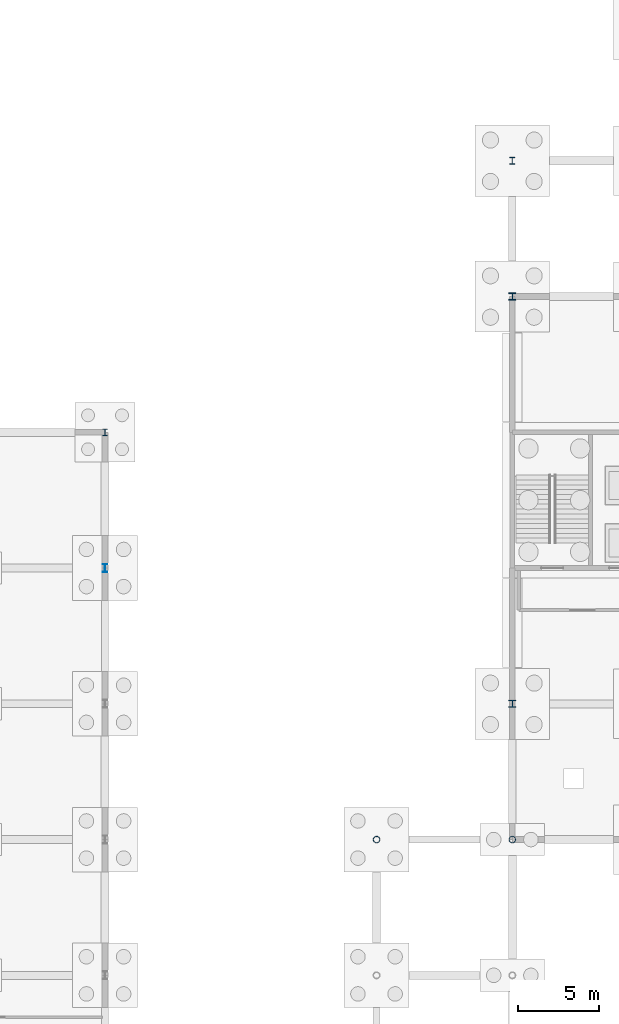
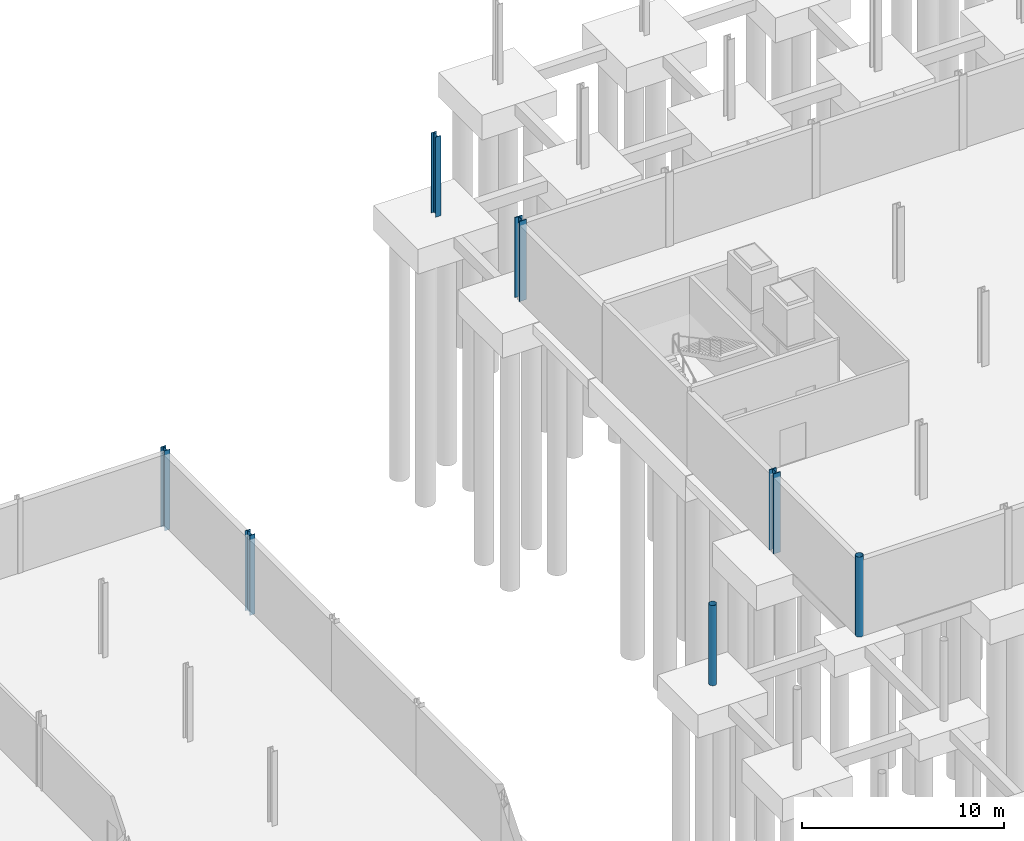
# One storey, part 21 of 51: 7 columns.
"""IFC4 building model written with IfcOpenShell, lengths in metres."""

from ifc_helpers import new_model, si_unit, direction, frame, origin, origin_2d, place, context, subcontext, project, spatial, hollow_circle, i_section, extrude, material, material_profile, profile_set, type_object, element, save


model = new_model("IFC4")

# Units and contexts
model_context = context("Model", 3, precision=1e-05, world=origin(), true_north=direction((0.0, 1.0)))
body_context = subcontext(model_context, "Body", "Model", "MODEL_VIEW")
ifc_project = project(units=[si_unit("LENGTHUNIT", "METRE"), si_unit("AREAUNIT", "SQUARE_METRE"), si_unit("VOLUMEUNIT", "CUBIC_METRE"), si_unit("PLANEANGLEUNIT", "RADIAN"), si_unit("MASSUNIT", "GRAM", prefix="KILO")], contexts=[model_context])

# Site, building, storey
site_placement = place(None, origin())
site = spatial("IfcSite", under=ifc_project, at=site_placement, CompositionType="ELEMENT")
building_placement = place(site_placement, origin())
building = spatial("IfcBuilding", under=site, at=building_placement, Name="Qalvenar Corner Mobility Hub", CompositionType="ELEMENT")
storey_placement = place(building_placement, frame((0.0, 0.0, -4.5)))
storey = spatial("IfcBuildingStorey", under=building, at=storey_placement, Name="B1", CompositionType="ELEMENT", Elevation=-4.5)

# Columns
ifc_material = material(Name="Steel S355", Category="steel")
ifc_material_profile_1 = material_profile(ifc_material, hollow_circle(Radius=0.203125, WallThickness=0.012451171875, at=origin_2d()), Name="CHS406.4x12.5")
ifc_profile_set_1 = profile_set([ifc_material_profile_1], Name="Steel S355")
column_type_1 = type_object("IfcColumnType", Name="COL-CHS406", PredefinedType="COLUMN", material=ifc_profile_set_1)
for number, where, z_axis, x_axis, name in (
    (1, (50.39990234375, 67.199951171875, -0.35009765625), (0.0, 0.0, 1.0), (1.0, 0.0, 0.0), "Steel Column B1-G7-8"),
    (2, (58.800048828125, 67.199951171875, -0.35009765625), (0.0, 0.0, 1.0), (1.0, 0.0, 0.0), "Steel Column B1-G8-8"),
):
    element("IfcColumn", number, at=place(storey_placement, frame(where, z_axis=z_axis, x_axis=x_axis)), inside=storey, type_object=column_type_1, Name=name, PredefinedType="COLUMN", context=body_context, shape_type="SweptSolid", body=[
        extrude(hollow_circle(Radius=0.203125, WallThickness=0.012451171875, at=origin_2d()), origin(), (0.0, 0.0, 1.0), 4.85009765625),
    ])
ifc_material_profile_2 = material_profile(ifc_material, i_section(OverallWidth=0.412109375, OverallDepth=0.455078125, WebThickness=0.030517578125, FlangeThickness=0.049072265625, FilletRadius=0.014892578125, at=origin_2d()), Name="HD400x421")
ifc_profile_set_2 = profile_set([ifc_material_profile_2], Name="Steel S355")
column_type_2 = type_object("IfcColumnType", Name="COL-HD400X382", PredefinedType="COLUMN", material=ifc_profile_set_2)
for number, where, z_axis, x_axis, name in (
    (3, (58.800048828125, 75.60009765625, -0.35009765625), (0.0, 0.0, 1.0), (1.0, 0.0, 0.0), "Steel Column B1-G8-9"),
    (4, (58.800048828125, 100.800048828125, -0.35009765625), (0.0, 0.0, 1.0), (1.0, 0.0, 0.0), "Steel Column B1-G8-12"),
):
    element("IfcColumn", number, at=place(storey_placement, frame(where, z_axis=z_axis, x_axis=x_axis)), inside=storey, type_object=column_type_2, Name=name, PredefinedType="COLUMN", context=body_context, shape_type="SweptSolid", body=[
        extrude(i_section(OverallWidth=0.412109375, OverallDepth=0.455078125, WebThickness=0.030517578125, FlangeThickness=0.049072265625, FilletRadius=0.014892578125, at=origin_2d()), origin(), (0.0, 0.0, 1.0), 4.85009765625),
    ])
ifc_material_profile_3 = material_profile(ifc_material, i_section(OverallWidth=0.300048828125, OverallDepth=0.39990234375, WebThickness=0.013427734375, FlangeThickness=0.02392578125, FilletRadius=0.027099609375, at=origin_2d()), Name="HEB400")
ifc_profile_set_3 = profile_set([ifc_material_profile_3], Name="Steel S355")
column_type_3 = type_object("IfcColumnType", Name="COL-HEB400", PredefinedType="COLUMN", material=ifc_profile_set_3)
column_1_placement = place(storey_placement, frame((33.60009765625, 92.39990234375, -0.35009765625), z_axis=(0.0, 0.0, 1.0), x_axis=(1.0, 0.0, 0.0)))
element("IfcColumn", 5, at=column_1_placement, inside=storey, type_object=column_type_3, Name="Steel Column B1-G5-11", PredefinedType="COLUMN", context=body_context, shape_type="SweptSolid", body=[
    extrude(i_section(OverallWidth=0.300048828125, OverallDepth=0.39990234375, WebThickness=0.013427734375, FlangeThickness=0.02392578125, FilletRadius=0.027099609375, at=origin_2d()), origin(), (0.0, 0.0, 1.0), 4.85009765625),
])
ifc_material_profile_4 = material_profile(ifc_material, i_section(OverallWidth=0.300048828125, OverallDepth=0.449951171875, WebThickness=0.013916015625, FlangeThickness=0.02587890625, FilletRadius=0.027099609375, at=origin_2d()), Name="HEB450")
ifc_profile_set_4 = profile_set([ifc_material_profile_4], Name="Steel S355")
column_type_4 = type_object("IfcColumnType", Name="COL-HEB450", PredefinedType="COLUMN", material=ifc_profile_set_4)
column_2_placement = place(storey_placement, frame((58.800048828125, 109.199951171875, -0.35009765625), z_axis=(0.0, 0.0, 1.0), x_axis=(1.0, 0.0, 0.0)))
element("IfcColumn", 6, at=column_2_placement, inside=storey, type_object=column_type_4, Name="Steel Column B1-G8-13", PredefinedType="COLUMN", context=body_context, shape_type="SweptSolid", body=[
    extrude(i_section(OverallWidth=0.300048828125, OverallDepth=0.449951171875, WebThickness=0.013916015625, FlangeThickness=0.02587890625, FilletRadius=0.027099609375, at=origin_2d()), origin(), (0.0, 0.0, 1.0), 4.85009765625),
])
ifc_material_profile_5 = material_profile(ifc_material, i_section(OverallWidth=0.300048828125, OverallDepth=0.5, WebThickness=0.014404296875, FlangeThickness=0.028076171875, FilletRadius=0.027099609375, at=origin_2d()), Name="HEB500")
ifc_profile_set_5 = profile_set([ifc_material_profile_5], Name="Steel S355")
column_type_5 = type_object("IfcColumnType", Name="COL-HEB500", PredefinedType="COLUMN", material=ifc_profile_set_5)
column_3_placement = place(storey_placement, frame((33.60009765625, 84.0, -0.35009765625), z_axis=(0.0, 0.0, 1.0), x_axis=(1.0, 0.0, 0.0)))
element("IfcColumn", 7, at=column_3_placement, inside=storey, type_object=column_type_5, Name="Steel Column B1-G5-10", PredefinedType="COLUMN", context=body_context, shape_type="SweptSolid", body=[
    extrude(i_section(OverallWidth=0.300048828125, OverallDepth=0.5, WebThickness=0.014404296875, FlangeThickness=0.028076171875, FilletRadius=0.027099609375, at=origin_2d()), origin(), (0.0, 0.0, 1.0), 4.85009765625),
])

save(model, "model.ifc")
